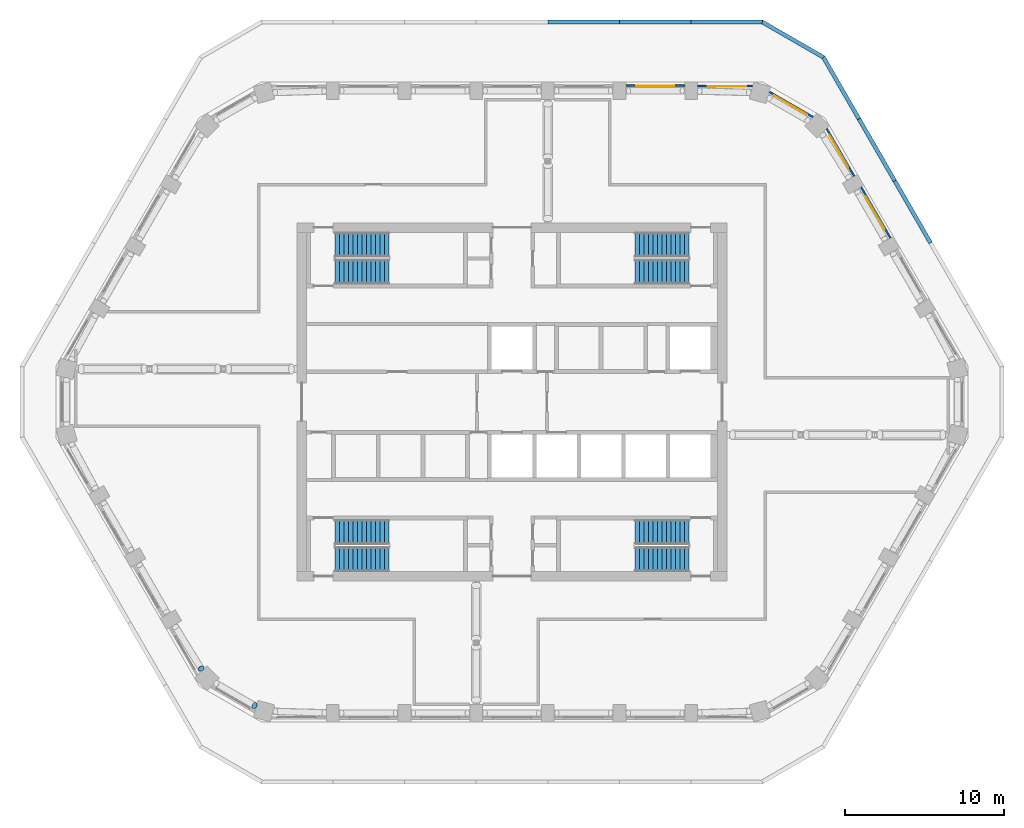
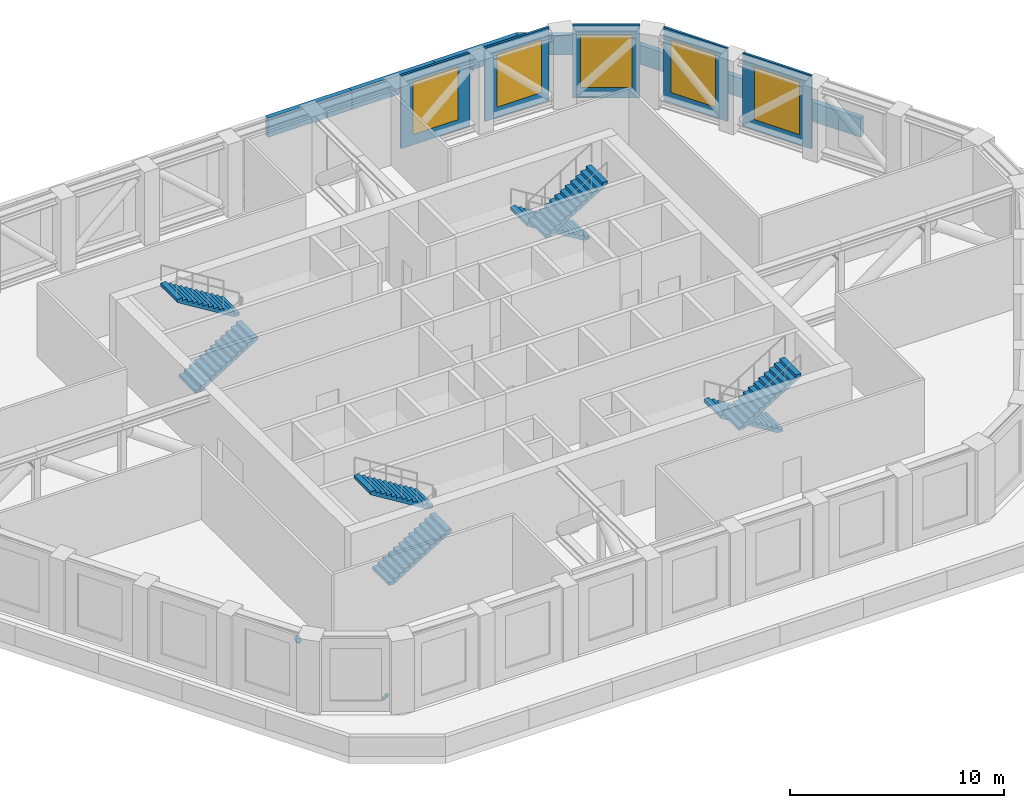
# One storey, part 10 of 15: 12 walls, 8 stair flights, 5 windows, 2 discrete accessories, 5 openings, 4 elements without a shape of their own.
"""IFC4 building model written with IfcOpenShell, lengths in metres."""

from ifc_helpers import new_model, si_unit, direction, frame, frame_2d, origin, origin_2d, place, context, subcontext, project, spatial, polyline, rectangle, circle, outline, extrude, material, layer, layer_set, material_profile, profile_set, type_object, element, fill, aggregate, save


model = new_model("IFC4")

# Units and contexts
model_context = context("Model", 3, precision=1e-05, world=origin(), true_north=direction((0.0, 1.0)))
body_context = subcontext(model_context, "Body", "Model", "MODEL_VIEW")
ifc_project = project(units=[si_unit("LENGTHUNIT", "METRE"), si_unit("AREAUNIT", "SQUARE_METRE"), si_unit("VOLUMEUNIT", "CUBIC_METRE"), si_unit("PLANEANGLEUNIT", "RADIAN"), si_unit("MASSUNIT", "GRAM", prefix="KILO")], contexts=[model_context])

# Site, building, storey
site_placement = place(None, origin())
site = spatial("IfcSite", under=ifc_project, at=site_placement, CompositionType="ELEMENT")
building_placement = place(site_placement, origin())
building = spatial("IfcBuilding", under=site, at=building_placement, Name="Dhurran Vertical Campus", CompositionType="ELEMENT")
storey_placement = place(building_placement, frame((0.0, 0.0, 230.699951171875)))
storey = spatial("IfcBuildingStorey", under=building, at=storey_placement, Name="L57 Plant", CompositionType="ELEMENT", Elevation=230.699951171875)

# Wall, opening, window
ifc_material_1 = material(Name="Precast concrete C50/60", Category="concrete")
ifc_layer_1 = layer(ifc_material_1, 0.1201171875)
ifc_layer_set_1 = layer_set([ifc_layer_1], Name="Precast concrete C50/60")
wall_type_1 = type_object("IfcWallType", Name="Precast louvre-bay panel 120", PredefinedType="SOLIDWALL", material=ifc_layer_set_1)
wall_1_placement = place(storey_placement, frame((23.76953125, 10.288818359375, 0.0), z_axis=(0.0, 0.0, 1.0), x_axis=(-0.500029062817, 0.866008623709, 0.0)))
wall_1 = element("IfcWall", 1, at=wall_1_placement, inside=storey, type_object=wall_type_1, Name="EW4 L57.15", PredefinedType="SOLIDWALL", context=body_context, shape_type="SweptSolid", body=[
    extrude(rectangle(XDim=3.698974609375, YDim=0.1201171875, at=frame_2d((1.849609375, 0.0))), origin(), (0.0, 0.0, 1.0), 4.175048828125),
])
opening_1_placement = place(wall_1_placement, frame((0.6494140625, 0.0, 0.60009765625)))
opening_1 = element("IfcOpeningElement", 2, at=opening_1_placement, cuts=wall_1, Name="Opening WT4", PredefinedType="OPENING", context=body_context, shape_type="SweptSolid", body=[
    extrude(rectangle(XDim=2.39990234375, YDim=3.0, at=frame_2d((1.199951171875, 1.5))), frame((0.0, 0.070068359375, 0.0), z_axis=(0.0, -1.0, 0.0), x_axis=(1.0, 0.0, 0.0)), (0.0, 0.0, 1.0), 0.14013671875),
])
ifc_material_2 = material(Name="Aluminium louvre", Category="aluminium")
window_type = type_object("IfcWindowType", Name="Louvred plant vent 2400 x 3000", PartitioningType="SINGLE_PANEL", PredefinedType="WINDOW", material=ifc_material_2)
window_1_placement = place(opening_1_placement, origin())
window_1 = element("IfcWindow", 3, at=window_1_placement, inside=storey, type_object=window_type, Name="WT4 L57.15", OverallHeight=3.0, OverallWidth=2.39990234375, PartitioningType="SINGLE_PANEL", PredefinedType="WINDOW", context=body_context, shape_type="SweptSolid", body=[
    extrude(rectangle(XDim=2.39990234375, YDim=3.0, at=frame_2d((1.199951171875, 1.5))), frame((0.0, 0.06005859375, 0.0), z_axis=(0.0, -1.0, 0.0), x_axis=(1.0, 0.0, 0.0)), (0.0, 0.0, 1.0), 0.02001953125),
])
fill(opening_1, window_1)

wall_2_placement = place(storey_placement, frame((21.490966796875, 14.169189453125, 0.0), z_axis=(0.0, 0.0, 1.0), x_axis=(-0.499967486139, 0.866044174857, 0.0)))
wall_2 = element("IfcWall", 4, at=wall_2_placement, inside=storey, type_object=wall_type_1, Name="EW4 L57.16", PredefinedType="SOLIDWALL", context=body_context, shape_type="SweptSolid", body=[
    extrude(rectangle(XDim=3.449951171875, YDim=0.1201171875, at=frame_2d((1.72509765625, 0.0))), origin(), (0.0, 0.0, 1.0), 4.175048828125),
])
opening_2_placement = place(wall_2_placement, frame((0.6494140625, 0.0, 0.60009765625)))
opening_2 = element("IfcOpeningElement", 5, at=opening_2_placement, cuts=wall_2, Name="Opening WT4", PredefinedType="OPENING", context=body_context, shape_type="SweptSolid", body=[
    extrude(rectangle(XDim=2.39990234375, YDim=3.0, at=frame_2d((1.199951171875, 1.5))), frame((0.0, 0.070068359375, 0.0), z_axis=(0.0, -1.0, 0.0), x_axis=(1.0, 0.0, 0.0)), (0.0, 0.0, 1.0), 0.14013671875),
])
window_2_placement = place(opening_2_placement, origin())
window_2 = element("IfcWindow", 6, at=window_2_placement, inside=storey, type_object=window_type, Name="WT4 L57.16", OverallHeight=3.0, OverallWidth=2.39990234375, PartitioningType="SINGLE_PANEL", PredefinedType="WINDOW", context=body_context, shape_type="SweptSolid", body=[
    extrude(rectangle(XDim=2.39990234375, YDim=3.0, at=frame_2d((1.199951171875, 1.5))), frame((0.0, 0.06005859375, 0.0), z_axis=(0.0, -1.0, 0.0), x_axis=(1.0, 0.0, 0.0)), (0.0, 0.0, 1.0), 0.02001953125),
])
fill(opening_2, window_2)

wall_3_placement = place(storey_placement, frame((18.8994140625, 17.890869140625, 0.0), z_axis=(0.0, 0.0, 1.0), x_axis=(-0.866008907395, 0.500028571497, 0.0)))
wall_3 = element("IfcWall", 7, at=wall_3_placement, inside=storey, type_object=wall_type_1, Name="EW4 L57.17", PredefinedType="SOLIDWALL", context=body_context, shape_type="SweptSolid", body=[
    extrude(rectangle(XDim=3.152587890625, YDim=0.1201171875, at=frame_2d((1.576171875, 0.0))), origin(), (0.0, 0.0, 1.0), 4.175048828125),
])
opening_3_placement = place(wall_3_placement, frame((0.376220703125, 0.0, 0.60009765625)))
opening_3 = element("IfcOpeningElement", 8, at=opening_3_placement, cuts=wall_3, Name="Opening WT4", PredefinedType="OPENING", context=body_context, shape_type="SweptSolid", body=[
    extrude(rectangle(XDim=2.39990234375, YDim=3.0, at=frame_2d((1.199951171875, 1.5))), frame((0.0, 0.070068359375, 0.0), z_axis=(0.0, -1.0, 0.0), x_axis=(1.0, 0.0, 0.0)), (0.0, 0.0, 1.0), 0.14013671875),
])
window_3_placement = place(opening_3_placement, origin())
window_3 = element("IfcWindow", 9, at=window_3_placement, inside=storey, type_object=window_type, Name="WT4 L57.17", OverallHeight=3.0, OverallWidth=2.39990234375, PartitioningType="SINGLE_PANEL", PredefinedType="WINDOW", context=body_context, shape_type="SweptSolid", body=[
    extrude(rectangle(XDim=2.39990234375, YDim=3.0, at=frame_2d((1.199951171875, 1.5))), frame((0.0, 0.06005859375, 0.0), z_axis=(0.0, -1.0, 0.0), x_axis=(1.0, 0.0, 0.0)), (0.0, 0.0, 1.0), 0.02001953125),
])
fill(opening_3, window_3)

wall_4_placement = place(storey_placement, frame((15.1005859375, 19.850830078125, 0.0), z_axis=(0.0, 0.0, 1.0), x_axis=(-1.0, 0.0, 0.0)))
wall_4 = element("IfcWall", 10, at=wall_4_placement, inside=storey, type_object=wall_type_1, Name="EW4 L57.18", PredefinedType="SOLIDWALL", context=body_context, shape_type="SweptSolid", body=[
    extrude(rectangle(XDim=3.4501953125, YDim=0.1201171875, at=frame_2d((1.72509765625, 0.0))), origin(), (0.0, 0.0, 1.0), 4.175048828125),
])
opening_4_placement = place(wall_4_placement, frame((0.400634765625, 0.0, 0.60009765625)))
opening_4 = element("IfcOpeningElement", 11, at=opening_4_placement, cuts=wall_4, Name="Opening WT4", PredefinedType="OPENING", context=body_context, shape_type="SweptSolid", body=[
    extrude(rectangle(XDim=2.39990234375, YDim=3.0, at=frame_2d((1.199951171875, 1.5))), frame((0.0, 0.070068359375, 0.0), z_axis=(0.0, -1.0, 0.0), x_axis=(1.0, 0.0, 0.0)), (0.0, 0.0, 1.0), 0.14013671875),
])
window_4_placement = place(opening_4_placement, origin())
window_4 = element("IfcWindow", 12, at=window_4_placement, inside=storey, type_object=window_type, Name="WT4 L57.18", OverallHeight=3.0, OverallWidth=2.39990234375, PartitioningType="SINGLE_PANEL", PredefinedType="WINDOW", context=body_context, shape_type="SweptSolid", body=[
    extrude(rectangle(XDim=2.39990234375, YDim=3.0, at=frame_2d((1.199951171875, 1.5))), frame((0.0, 0.06005859375, 0.0), z_axis=(0.0, -1.0, 0.0), x_axis=(1.0, 0.0, 0.0)), (0.0, 0.0, 1.0), 0.02001953125),
])
fill(opening_4, window_4)

wall_5_placement = place(storey_placement, frame((10.849609375, 19.8837890625, 0.0), z_axis=(0.0, 0.0, 1.0), x_axis=(-1.0, 0.0, 0.0)))
wall_5 = element("IfcWall", 13, at=wall_5_placement, inside=storey, type_object=wall_type_1, Name="EW4 L57.19", PredefinedType="SOLIDWALL", context=body_context, shape_type="SweptSolid", body=[
    extrude(rectangle(XDim=3.69921875, YDim=0.1201171875, at=frame_2d((1.849609375, 0.0))), origin(), (0.0, 0.0, 1.0), 4.175048828125),
])
opening_5_placement = place(wall_5_placement, frame((0.6494140625, 0.0, 0.60009765625)))
opening_5 = element("IfcOpeningElement", 14, at=opening_5_placement, cuts=wall_5, Name="Opening WT4", PredefinedType="OPENING", context=body_context, shape_type="SweptSolid", body=[
    extrude(rectangle(XDim=2.39990234375, YDim=3.0, at=frame_2d((1.199951171875, 1.5))), frame((0.0, 0.070068359375, 0.0), z_axis=(0.0, -1.0, 0.0), x_axis=(1.0, 0.0, 0.0)), (0.0, 0.0, 1.0), 0.14013671875),
])
window_5_placement = place(opening_5_placement, origin())
window_5 = element("IfcWindow", 15, at=window_5_placement, inside=storey, type_object=window_type, Name="WT4 L57.19", OverallHeight=3.0, OverallWidth=2.39990234375, PartitioningType="SINGLE_PANEL", PredefinedType="WINDOW", context=body_context, shape_type="SweptSolid", body=[
    extrude(rectangle(XDim=2.39990234375, YDim=3.0, at=frame_2d((1.199951171875, 1.5))), frame((0.0, 0.06005859375, 0.0), z_axis=(0.0, -1.0, 0.0), x_axis=(1.0, 0.0, 0.0)), (0.0, 0.0, 1.0), 0.02001953125),
])
fill(opening_5, window_5)

# Walls
ifc_material_3 = material(Name="Precast concrete C50/60", Category="concrete")
ifc_layer_2 = layer(ifc_material_3, 0.25)
ifc_layer_set_2 = layer_set([ifc_layer_2], Name="Precast concrete C50/60")
wall_type_2 = type_object("IfcWallType", Name="Precast parapet 250", PredefinedType="PARAPET", material=ifc_layer_set_2)
wall_6_placement = place(storey_placement, origin())
element("IfcWall", 16, at=wall_6_placement, inside=storey, type_object=wall_type_2, Name="PW1 L57.16", PredefinedType="PARAPET", context=body_context, shape_type="SweptSolid", body=[
    extrude(outline(polyline([(26.397216796875, 10.044189453125), (24.147216796875, 13.94140625), (23.9306640625, 13.81640625), (26.1806640625, 9.919189453125), (26.397216796875, 10.044189453125)])), origin(), (0.0, 0.0, 1.0), 1.10009765625),
])
wall_7_placement = place(storey_placement, origin())
element("IfcWall", 17, at=wall_7_placement, inside=storey, type_object=wall_type_2, Name="PW1 L57.17", PredefinedType="PARAPET", context=body_context, shape_type="SweptSolid", body=[
    extrude(outline(polyline([(24.147216796875, 13.94140625), (21.897216796875, 17.83837890625), (21.6806640625, 17.71337890625), (23.9306640625, 13.81640625), (24.147216796875, 13.94140625)])), origin(), (0.0, 0.0, 1.0), 1.10009765625),
])
wall_8_placement = place(storey_placement, origin())
element("IfcWall", 18, at=wall_8_placement, inside=storey, type_object=wall_type_2, Name="PW1 L57.18", PredefinedType="PARAPET", context=body_context, shape_type="SweptSolid", body=[
    extrude(outline(polyline([(21.897216796875, 17.83837890625), (19.647216796875, 21.735595703125), (19.464111328125, 21.552490234375), (21.6806640625, 17.71337890625), (21.897216796875, 17.83837890625)])), origin(), (0.0, 0.0, 1.0), 1.10009765625),
])
wall_9_placement = place(storey_placement, origin())
element("IfcWall", 19, at=wall_9_placement, inside=storey, type_object=wall_type_2, Name="PW1 L57.19", PredefinedType="PARAPET", context=body_context, shape_type="SweptSolid", body=[
    extrude(outline(polyline([(19.647216796875, 21.735595703125), (15.75, 23.985595703125), (15.68310546875, 23.735595703125), (19.464111328125, 21.552490234375), (19.647216796875, 21.735595703125)])), origin(), (0.0, 0.0, 1.0), 1.10009765625),
])
wall_10_placement = place(storey_placement, origin())
element("IfcWall", 20, at=wall_10_placement, inside=storey, type_object=wall_type_2, Name="PW1 L57.20", PredefinedType="PARAPET", context=body_context, shape_type="SweptSolid", body=[
    extrude(outline(polyline([(15.75, 23.985595703125), (11.25, 23.985595703125), (11.25, 23.735595703125), (15.68310546875, 23.735595703125), (15.75, 23.985595703125)])), origin(), (0.0, 0.0, 1.0), 1.10009765625),
])
wall_11_placement = place(storey_placement, origin())
element("IfcWall", 21, at=wall_11_placement, inside=storey, type_object=wall_type_2, Name="PW1 L57.21", PredefinedType="PARAPET", context=body_context, shape_type="SweptSolid", body=[
    extrude(outline(polyline([(11.25, 23.985595703125), (6.75, 23.985595703125), (6.75, 23.735595703125), (11.25, 23.735595703125), (11.25, 23.985595703125)])), origin(), (0.0, 0.0, 1.0), 1.10009765625),
])
wall_12_placement = place(storey_placement, origin())
element("IfcWall", 22, at=wall_12_placement, inside=storey, type_object=wall_type_2, Name="PW1 L57.22", PredefinedType="PARAPET", context=body_context, shape_type="SweptSolid", body=[
    extrude(outline(polyline([(6.75, 23.985595703125), (2.25, 23.985595703125), (2.25, 23.735595703125), (6.75, 23.735595703125), (6.75, 23.985595703125)])), origin(), (0.0, 0.0, 1.0), 1.10009765625),
])

# Stair, stair flights
ifc_material_4 = material(Name="Concrete C40/50", Category="concrete")
stair_type = type_object("IfcStairType", Name="co-ST-CORE", PredefinedType="HALF_TURN_STAIR", material=ifc_material_4)
stair_1_placement = place(storey_placement, origin())
stair_1 = element("IfcStair", 23, at=stair_1_placement, inside=storey, type_object=stair_type, Name="L57 Plant Protected exit stair ST1", PredefinedType="HALF_TURN_STAIR")
ifc_material_5 = material(Name="Concrete C40/50", Category="concrete")
stair_flight_type = type_object("IfcStairFlightType", Name="co-SFL-RC", PredefinedType="STRAIGHT", material=ifc_material_5)
stair_flight_1_placement = place(storey_placement, frame((-11.10009765625, 8.175048828125, 0.0), z_axis=(0.0, 0.0, 1.0), x_axis=(1.0, 0.0, 0.0)))
stair_flight_1 = element("IfcStairFlight", 24, at=stair_flight_1_placement, type_object=stair_flight_type, Name="ST1 flight 1", NumberOfRisers=13, NumberOfTreads=12, PredefinedType="STRAIGHT", RiserHeight=0.173076923, TreadLength=0.28, context=body_context, shape_type="SweptSolid", body=[
    extrude(outline(polyline([(0.0, 0.0), (0.0, 0.173095703125), (0.280029296875, 0.173095703125), (0.280029296875, 0.34619140625), (0.56005859375, 0.34619140625), (0.56005859375, 0.519287109375), (0.840087890625, 0.519287109375), (0.840087890625, 0.6923828125), (1.1201171875, 0.6923828125), (1.1201171875, 0.865478515625), (1.39990234375, 0.865478515625), (1.39990234375, 1.03857421875), (1.679931640625, 1.03857421875), (1.679931640625, 1.21142578125), (1.9599609375, 1.21142578125), (1.9599609375, 1.384521484375), (2.239990234375, 1.384521484375), (2.239990234375, 1.5576171875), (2.52001953125, 1.5576171875), (2.52001953125, 1.730712890625), (2.800048828125, 1.730712890625), (2.800048828125, 1.90380859375), (3.080078125, 1.90380859375), (3.080078125, 2.076904296875), (3.360107421875, 2.076904296875), (3.360107421875, 2.25), (3.360107421875, 1.900634765625), (0.28515625, 0.0), (0.0, 0.0)])), frame((0.0, 0.77490234375, 0.0), z_axis=(0.0, -1.0, 0.0), x_axis=(1.0, 0.0, 0.0)), (0.0, 0.0, 1.0), 1.550048828125),
])
stair_flight_2_placement = place(storey_placement, frame((-7.739990234375, 9.875, 2.25), z_axis=(0.0, 0.0, 1.0), x_axis=(-1.0, 0.0, 0.0)))
stair_flight_2 = element("IfcStairFlight", 25, at=stair_flight_2_placement, type_object=stair_flight_type, Name="ST1 flight 2", NumberOfRisers=13, NumberOfTreads=12, PredefinedType="STRAIGHT", RiserHeight=0.173076923, TreadLength=0.28, context=body_context, shape_type="SweptSolid", body=[
    extrude(outline(polyline([(0.0, 0.0), (0.0, 0.173095703125), (0.280029296875, 0.173095703125), (0.280029296875, 0.34619140625), (0.56005859375, 0.34619140625), (0.56005859375, 0.519287109375), (0.840087890625, 0.519287109375), (0.840087890625, 0.6923828125), (1.1201171875, 0.6923828125), (1.1201171875, 0.865478515625), (1.39990234375, 0.865478515625), (1.39990234375, 1.03857421875), (1.679931640625, 1.03857421875), (1.679931640625, 1.21142578125), (1.9599609375, 1.21142578125), (1.9599609375, 1.384521484375), (2.239990234375, 1.384521484375), (2.239990234375, 1.5576171875), (2.52001953125, 1.5576171875), (2.52001953125, 1.730712890625), (2.800048828125, 1.730712890625), (2.800048828125, 1.90380859375), (3.080078125, 1.90380859375), (3.080078125, 2.076904296875), (3.360107421875, 2.076904296875), (3.360107421875, 2.25), (3.360107421875, 1.900634765625), (0.28515625, 0.0), (0.0, 0.0)])), frame((0.0, 0.77490234375, 0.0), z_axis=(0.0, -1.0, 0.0), x_axis=(1.0, 0.0, 0.0)), (0.0, 0.0, 1.0), 1.550048828125),
])
aggregate(stair_1, [stair_flight_1, stair_flight_2])

stair_2_placement = place(storey_placement, origin())
stair_2 = element("IfcStair", 26, at=stair_2_placement, inside=storey, type_object=stair_type, Name="L57 Plant Protected exit stair ST2", PredefinedType="HALF_TURN_STAIR")
stair_flight_3_placement = place(storey_placement, frame((11.10009765625, 9.875, 0.0), z_axis=(0.0, 0.0, 1.0), x_axis=(-1.0, 0.0, 0.0)))
stair_flight_3 = element("IfcStairFlight", 27, at=stair_flight_3_placement, type_object=stair_flight_type, Name="ST2 flight 1", NumberOfRisers=13, NumberOfTreads=12, PredefinedType="STRAIGHT", RiserHeight=0.173076923, TreadLength=0.28, context=body_context, shape_type="SweptSolid", body=[
    extrude(outline(polyline([(0.0, 0.0), (0.0, 0.173095703125), (0.280029296875, 0.173095703125), (0.280029296875, 0.34619140625), (0.56005859375, 0.34619140625), (0.56005859375, 0.519287109375), (0.840087890625, 0.519287109375), (0.840087890625, 0.6923828125), (1.1201171875, 0.6923828125), (1.1201171875, 0.865478515625), (1.39990234375, 0.865478515625), (1.39990234375, 1.03857421875), (1.679931640625, 1.03857421875), (1.679931640625, 1.21142578125), (1.9599609375, 1.21142578125), (1.9599609375, 1.384521484375), (2.239990234375, 1.384521484375), (2.239990234375, 1.5576171875), (2.52001953125, 1.5576171875), (2.52001953125, 1.730712890625), (2.800048828125, 1.730712890625), (2.800048828125, 1.90380859375), (3.080078125, 1.90380859375), (3.080078125, 2.076904296875), (3.360107421875, 2.076904296875), (3.360107421875, 2.25), (3.360107421875, 1.900634765625), (0.28515625, 0.0), (0.0, 0.0)])), frame((0.0, 0.77490234375, 0.0), z_axis=(0.0, -1.0, 0.0), x_axis=(1.0, 0.0, 0.0)), (0.0, 0.0, 1.0), 1.550048828125),
])
stair_flight_4_placement = place(storey_placement, frame((7.739990234375, 8.175048828125, 2.25), z_axis=(0.0, 0.0, 1.0), x_axis=(1.0, 0.0, 0.0)))
stair_flight_4 = element("IfcStairFlight", 28, at=stair_flight_4_placement, type_object=stair_flight_type, Name="ST2 flight 2", NumberOfRisers=13, NumberOfTreads=12, PredefinedType="STRAIGHT", RiserHeight=0.173076923, TreadLength=0.28, context=body_context, shape_type="SweptSolid", body=[
    extrude(outline(polyline([(0.0, 0.0), (0.0, 0.173095703125), (0.280029296875, 0.173095703125), (0.280029296875, 0.34619140625), (0.56005859375, 0.34619140625), (0.56005859375, 0.519287109375), (0.840087890625, 0.519287109375), (0.840087890625, 0.6923828125), (1.1201171875, 0.6923828125), (1.1201171875, 0.865478515625), (1.39990234375, 0.865478515625), (1.39990234375, 1.03857421875), (1.679931640625, 1.03857421875), (1.679931640625, 1.21142578125), (1.9599609375, 1.21142578125), (1.9599609375, 1.384521484375), (2.239990234375, 1.384521484375), (2.239990234375, 1.5576171875), (2.52001953125, 1.5576171875), (2.52001953125, 1.730712890625), (2.800048828125, 1.730712890625), (2.800048828125, 1.90380859375), (3.080078125, 1.90380859375), (3.080078125, 2.076904296875), (3.360107421875, 2.076904296875), (3.360107421875, 2.25), (3.360107421875, 1.900634765625), (0.28515625, 0.0), (0.0, 0.0)])), frame((0.0, 0.77490234375, 0.0), z_axis=(0.0, -1.0, 0.0), x_axis=(1.0, 0.0, 0.0)), (0.0, 0.0, 1.0), 1.550048828125),
])
aggregate(stair_2, [stair_flight_3, stair_flight_4])

stair_3_placement = place(storey_placement, origin())
stair_3 = element("IfcStair", 29, at=stair_3_placement, inside=storey, type_object=stair_type, Name="L57 Plant Protected exit stair ST3", PredefinedType="HALF_TURN_STAIR")
stair_flight_5_placement = place(storey_placement, frame((-11.10009765625, -9.875, 0.0), z_axis=(0.0, 0.0, 1.0), x_axis=(1.0, 0.0, 0.0)))
stair_flight_5 = element("IfcStairFlight", 30, at=stair_flight_5_placement, type_object=stair_flight_type, Name="ST3 flight 1", NumberOfRisers=13, NumberOfTreads=12, PredefinedType="STRAIGHT", RiserHeight=0.173076923, TreadLength=0.28, context=body_context, shape_type="SweptSolid", body=[
    extrude(outline(polyline([(0.0, 0.0), (0.0, 0.173095703125), (0.280029296875, 0.173095703125), (0.280029296875, 0.34619140625), (0.56005859375, 0.34619140625), (0.56005859375, 0.519287109375), (0.840087890625, 0.519287109375), (0.840087890625, 0.6923828125), (1.1201171875, 0.6923828125), (1.1201171875, 0.865478515625), (1.39990234375, 0.865478515625), (1.39990234375, 1.03857421875), (1.679931640625, 1.03857421875), (1.679931640625, 1.21142578125), (1.9599609375, 1.21142578125), (1.9599609375, 1.384521484375), (2.239990234375, 1.384521484375), (2.239990234375, 1.5576171875), (2.52001953125, 1.5576171875), (2.52001953125, 1.730712890625), (2.800048828125, 1.730712890625), (2.800048828125, 1.90380859375), (3.080078125, 1.90380859375), (3.080078125, 2.076904296875), (3.360107421875, 2.076904296875), (3.360107421875, 2.25), (3.360107421875, 1.900634765625), (0.28515625, 0.0), (0.0, 0.0)])), frame((0.0, 0.77490234375, 0.0), z_axis=(0.0, -1.0, 0.0), x_axis=(1.0, 0.0, 0.0)), (0.0, 0.0, 1.0), 1.550048828125),
])
stair_flight_6_placement = place(storey_placement, frame((-7.739990234375, -8.175048828125, 2.25), z_axis=(0.0, 0.0, 1.0), x_axis=(-1.0, 0.0, 0.0)))
stair_flight_6 = element("IfcStairFlight", 31, at=stair_flight_6_placement, type_object=stair_flight_type, Name="ST3 flight 2", NumberOfRisers=13, NumberOfTreads=12, PredefinedType="STRAIGHT", RiserHeight=0.173076923, TreadLength=0.28, context=body_context, shape_type="SweptSolid", body=[
    extrude(outline(polyline([(0.0, 0.0), (0.0, 0.173095703125), (0.280029296875, 0.173095703125), (0.280029296875, 0.34619140625), (0.56005859375, 0.34619140625), (0.56005859375, 0.519287109375), (0.840087890625, 0.519287109375), (0.840087890625, 0.6923828125), (1.1201171875, 0.6923828125), (1.1201171875, 0.865478515625), (1.39990234375, 0.865478515625), (1.39990234375, 1.03857421875), (1.679931640625, 1.03857421875), (1.679931640625, 1.21142578125), (1.9599609375, 1.21142578125), (1.9599609375, 1.384521484375), (2.239990234375, 1.384521484375), (2.239990234375, 1.5576171875), (2.52001953125, 1.5576171875), (2.52001953125, 1.730712890625), (2.800048828125, 1.730712890625), (2.800048828125, 1.90380859375), (3.080078125, 1.90380859375), (3.080078125, 2.076904296875), (3.360107421875, 2.076904296875), (3.360107421875, 2.25), (3.360107421875, 1.900634765625), (0.28515625, 0.0), (0.0, 0.0)])), frame((0.0, 0.77490234375, 0.0), z_axis=(0.0, -1.0, 0.0), x_axis=(1.0, 0.0, 0.0)), (0.0, 0.0, 1.0), 1.550048828125),
])
aggregate(stair_3, [stair_flight_5, stair_flight_6])

stair_4_placement = place(storey_placement, origin())
stair_4 = element("IfcStair", 32, at=stair_4_placement, inside=storey, type_object=stair_type, Name="L57 Plant Protected exit stair ST4", PredefinedType="HALF_TURN_STAIR")
stair_flight_7_placement = place(storey_placement, frame((11.10009765625, -8.175048828125, 0.0), z_axis=(0.0, 0.0, 1.0), x_axis=(-1.0, 0.0, 0.0)))
stair_flight_7 = element("IfcStairFlight", 33, at=stair_flight_7_placement, type_object=stair_flight_type, Name="ST4 flight 1", NumberOfRisers=13, NumberOfTreads=12, PredefinedType="STRAIGHT", RiserHeight=0.173076923, TreadLength=0.28, context=body_context, shape_type="SweptSolid", body=[
    extrude(outline(polyline([(0.0, 0.0), (0.0, 0.173095703125), (0.280029296875, 0.173095703125), (0.280029296875, 0.34619140625), (0.56005859375, 0.34619140625), (0.56005859375, 0.519287109375), (0.840087890625, 0.519287109375), (0.840087890625, 0.6923828125), (1.1201171875, 0.6923828125), (1.1201171875, 0.865478515625), (1.39990234375, 0.865478515625), (1.39990234375, 1.03857421875), (1.679931640625, 1.03857421875), (1.679931640625, 1.21142578125), (1.9599609375, 1.21142578125), (1.9599609375, 1.384521484375), (2.239990234375, 1.384521484375), (2.239990234375, 1.5576171875), (2.52001953125, 1.5576171875), (2.52001953125, 1.730712890625), (2.800048828125, 1.730712890625), (2.800048828125, 1.90380859375), (3.080078125, 1.90380859375), (3.080078125, 2.076904296875), (3.360107421875, 2.076904296875), (3.360107421875, 2.25), (3.360107421875, 1.900634765625), (0.28515625, 0.0), (0.0, 0.0)])), frame((0.0, 0.77490234375, 0.0), z_axis=(0.0, -1.0, 0.0), x_axis=(1.0, 0.0, 0.0)), (0.0, 0.0, 1.0), 1.550048828125),
])
stair_flight_8_placement = place(storey_placement, frame((7.739990234375, -9.875, 2.25), z_axis=(0.0, 0.0, 1.0), x_axis=(1.0, 0.0, 0.0)))
stair_flight_8 = element("IfcStairFlight", 34, at=stair_flight_8_placement, type_object=stair_flight_type, Name="ST4 flight 2", NumberOfRisers=13, NumberOfTreads=12, PredefinedType="STRAIGHT", RiserHeight=0.173076923, TreadLength=0.28, context=body_context, shape_type="SweptSolid", body=[
    extrude(outline(polyline([(0.0, 0.0), (0.0, 0.173095703125), (0.280029296875, 0.173095703125), (0.280029296875, 0.34619140625), (0.56005859375, 0.34619140625), (0.56005859375, 0.519287109375), (0.840087890625, 0.519287109375), (0.840087890625, 0.6923828125), (1.1201171875, 0.6923828125), (1.1201171875, 0.865478515625), (1.39990234375, 0.865478515625), (1.39990234375, 1.03857421875), (1.679931640625, 1.03857421875), (1.679931640625, 1.21142578125), (1.9599609375, 1.21142578125), (1.9599609375, 1.384521484375), (2.239990234375, 1.384521484375), (2.239990234375, 1.5576171875), (2.52001953125, 1.5576171875), (2.52001953125, 1.730712890625), (2.800048828125, 1.730712890625), (2.800048828125, 1.90380859375), (3.080078125, 1.90380859375), (3.080078125, 2.076904296875), (3.360107421875, 2.076904296875), (3.360107421875, 2.25), (3.360107421875, 1.900634765625), (0.28515625, 0.0), (0.0, 0.0)])), frame((0.0, 0.77490234375, 0.0), z_axis=(0.0, -1.0, 0.0), x_axis=(1.0, 0.0, 0.0)), (0.0, 0.0, 1.0), 1.550048828125),
])
aggregate(stair_4, [stair_flight_7, stair_flight_8])

# Discrete accessories
ifc_material_6 = material(Name="Steel S355J2", Category="steel")
ifc_material_profile = material_profile(ifc_material_6, circle(Radius=0.203125, at=origin_2d()), Name="Tube end cap 406 x 20")
ifc_profile_set = profile_set([ifc_material_profile], Name="Steel S355J2")
discrete_accessory_type = type_object("IfcDiscreteAccessoryType", Name="Tube end cap 406 x 20", PredefinedType="USERDEFINED", material=ifc_profile_set)
discrete_accessory_1_placement = place(storey_placement, frame((-19.527587890625, -16.739013671875, 3.59521484375), z_axis=(0.367469397963, -0.600200016674, 0.710440836063), x_axis=(0.852851304076, 0.522153859639, 0.0)))
element("IfcDiscreteAccessory", 35, at=discrete_accessory_1_placement, inside=storey, type_object=discrete_accessory_type, Name="EC1 belt L57 d34 capB", ObjectType="END CAP", PredefinedType="USERDEFINED", context=body_context, shape_type="SweptSolid", body=[
    extrude(circle(Radius=0.203125, at=origin_2d()), origin(), (0.0, 0.0, 1.0), 0.02001953125),
])
discrete_accessory_2_placement = place(storey_placement, frame((-16.169921875, -19.068115234375, 0.571533203125), z_axis=(0.589367574947, -0.331519260908, -0.736709468684), x_axis=(0.490261239633, 0.871575537125, 0.0)))
element("IfcDiscreteAccessory", 36, at=discrete_accessory_2_placement, inside=storey, type_object=discrete_accessory_type, Name="EC1 belt L57 d35 capA", ObjectType="END CAP", PredefinedType="USERDEFINED", context=body_context, shape_type="SweptSolid", body=[
    extrude(circle(Radius=0.203125, at=origin_2d()), origin(), (0.0, 0.0, 1.0), 0.019775390625),
])

save(model, "model.ifc")
